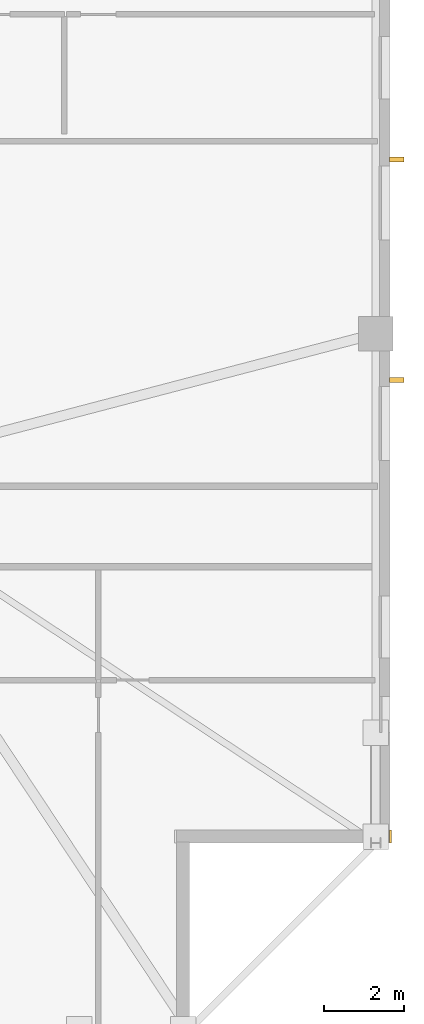
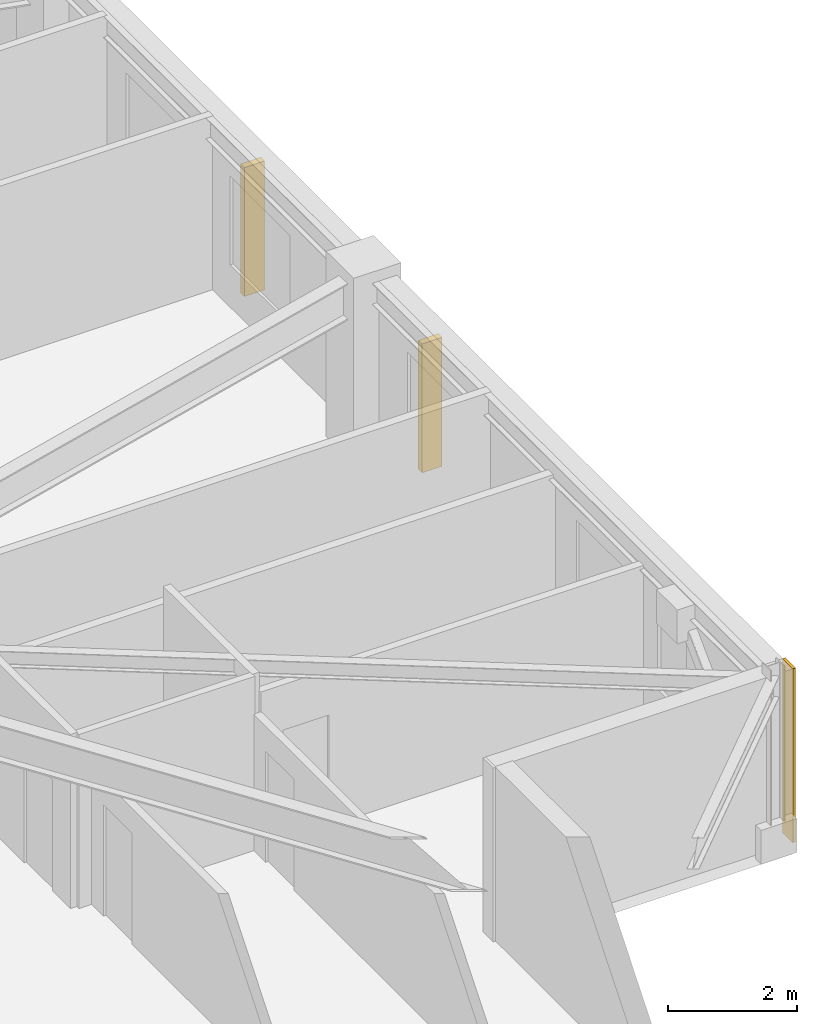
# One storey, part 15 of 17: 2 shading devices, 1 covering.
"""IFC4 building model written with IfcOpenShell, lengths in metres."""

from ifc_helpers import new_model, si_unit, direction, frame, frame_2d, origin, origin_2d, place, context, subcontext, project, spatial, rectangle, extrude, material, layer, layer_set, type_object, element, save


model = new_model("IFC4")

# Units and contexts
model_context = context("Model", 3, precision=1e-05, world=origin(), true_north=direction((0.0, 1.0)))
body_context = subcontext(model_context, "Body", "Model", "MODEL_VIEW")
ifc_project = project(units=[si_unit("LENGTHUNIT", "METRE"), si_unit("AREAUNIT", "SQUARE_METRE"), si_unit("VOLUMEUNIT", "CUBIC_METRE"), si_unit("PLANEANGLEUNIT", "RADIAN"), si_unit("MASSUNIT", "GRAM", prefix="KILO")], contexts=[model_context])

# Site, building, storey
site_placement = place(None, origin())
site = spatial("IfcSite", under=ifc_project, at=site_placement, CompositionType="ELEMENT")
building_placement = place(site_placement, origin())
building = spatial("IfcBuilding", under=site, at=building_placement, Name="Cairnveth Concourse Tower", CompositionType="ELEMENT")
storey_placement = place(building_placement, frame((0.0, 0.0, 230.5)))
storey = spatial("IfcBuildingStorey", under=building, at=storey_placement, Name="L63", CompositionType="ELEMENT", Elevation=230.5)

# Covering
ifc_material_1 = material(Name="Dressed Melbourne Bluestone Cladding", Category="masonry")
ifc_layer = layer(ifc_material_1, 0.050048828125)
ifc_layer_set = layer_set([ifc_layer], Name="Dressed Melbourne Bluestone Cladding")
covering_type = type_object("IfcCoveringType", Name="DRESSED BLUESTONE PLINTH CLADDING 50", PredefinedType="CLADDING", material=ifc_layer_set)
covering_placement = place(storey_placement, frame((74.52001953125, 21.820068359375, 0.0), z_axis=(0.0, 0.0, 1.0), x_axis=(0.0, -1.0, 0.0)))
element("IfcCovering", 1, at=covering_placement, inside=storey, type_object=covering_type, Name="Melbourne Bluestone Corner Quoin L63-950", PredefinedType="CLADDING", context=body_context, shape_type="SweptSolid", body=[
    extrude(rectangle(XDim=0.320068359375, YDim=0.050048828125, at=frame_2d((0.16015625, 0.0))), origin(), (0.0, 0.0, 1.0), 3.2900390625),
])

# Shading devices
ifc_material_2 = material(Name="Architectural Bronze Anodised Aluminium 6063-T6", Category="aluminium")
shading_device_type = type_object("IfcShadingDeviceType", Name="GOTHIC BRONZE VERTICAL LANCET FIN", PredefinedType="USERDEFINED", material=ifc_material_2)
for number, where, z_axis, x_axis, name in (
    (2, (74.675048828125, 38.54638671875, 0.030029296875), (0.0, 0.0, 1.0), (0.0, 1.0, 0.0), "Gothic Bronze Vertical Fin L63-6-5"),
    (3, (74.675048828125, 33.0458984375, 0.030029296875), (0.0, 0.0, 1.0), (0.0, 1.0, 0.0), "Gothic Bronze Vertical Fin L63-6-7"),
):
    element("IfcShadingDevice", number, at=place(storey_placement, frame(where, z_axis=z_axis, x_axis=x_axis)), inside=storey, type_object=shading_device_type, Name=name, ObjectType="VERTICAL FIN", PredefinedType="USERDEFINED", context=body_context, shape_type="SweptSolid", body=[
        extrude(rectangle(XDim=0.1201171875, YDim=0.360107421875, at=origin_2d()), origin(), (0.0, 0.0, 1.0), 2.43798828125),
    ])

save(model, "model.ifc")
